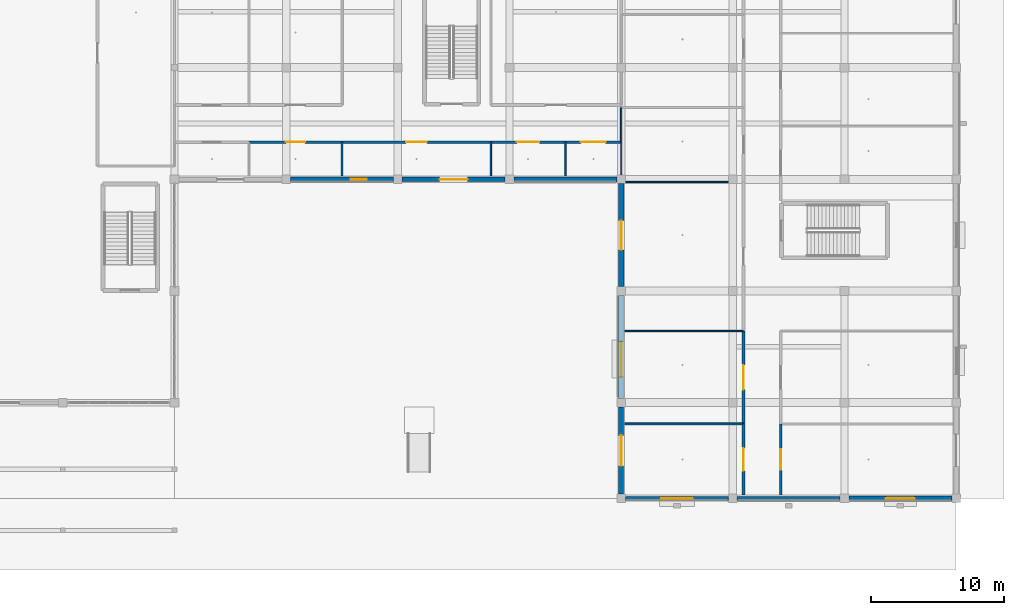
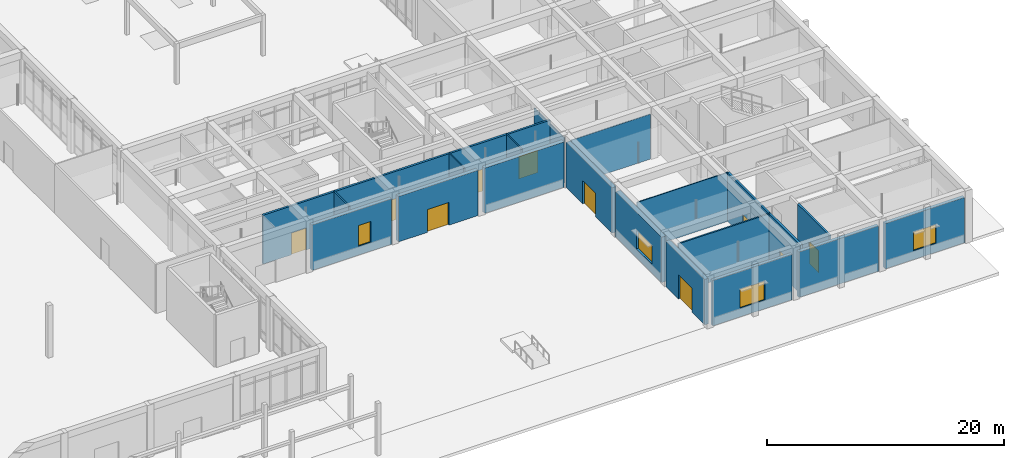
# One storey, part 73 of 167: 24 walls, 10 doors, 4 windows, 14 openings.
"""IFC4 building model written with IfcOpenShell, lengths in metres."""

from ifc_helpers import new_model, si_unit, direction, frame, frame_2d, origin, place, context, subcontext, project, spatial, rectangle, extrude, material, layer, layer_set, type_object, element, fill, save


model = new_model("IFC4")

# Units and contexts
model_context = context("Model", 3, precision=1e-05, world=origin(), true_north=direction((0.0, 1.0)))
body_context = subcontext(model_context, "Body", "Model", "MODEL_VIEW")
ifc_project = project(units=[si_unit("LENGTHUNIT", "METRE"), si_unit("AREAUNIT", "SQUARE_METRE"), si_unit("VOLUMEUNIT", "CUBIC_METRE"), si_unit("PLANEANGLEUNIT", "RADIAN"), si_unit("MASSUNIT", "GRAM", prefix="KILO")], contexts=[model_context])

# Site, building, storey
site_placement = place(None, origin())
site = spatial("IfcSite", under=ifc_project, at=site_placement, CompositionType="ELEMENT")
building_placement = place(site_placement, origin())
building = spatial("IfcBuilding", under=site, at=building_placement, Name="Varncliffe General Hospital", CompositionType="ELEMENT")
storey_placement = place(building_placement, origin())
storey = spatial("IfcBuildingStorey", under=building, at=storey_placement, Name="L00", CompositionType="ELEMENT", Elevation=0.0)

# Wall
ifc_material_1 = material(Name="Precast concrete C40/50 with insulated cream lime-cement stucco", Category="concrete")
ifc_layer_1 = layer(ifc_material_1, 0.31005859375)
ifc_layer_set_1 = layer_set([ifc_layer_1], Name="Precast concrete C40/50 with insulated cream lime-cement stucco")
wall_type_1 = type_object("IfcWallType", Name="Exterior Insulated Stucco Wall EW20 (310mm)", PredefinedType="SOLIDWALL", material=ifc_layer_set_1)
wall_1_placement = place(storey_placement, frame((167.677001953125, 0.0, 0.0), z_axis=(0.0, 0.0, 1.0), x_axis=(-1.0, 0.0, 0.0)))
element("IfcWall", 1, at=wall_1_placement, inside=storey, type_object=wall_type_1, Name="L00 Exterior Stucco Wall EW20-53", PredefinedType="SOLIDWALL", context=body_context, shape_type="SweptSolid", body=[
    extrude(rectangle(XDim=7.75390625, YDim=0.31005859375, at=frame_2d((3.876953125, 0.0))), origin(), (0.0, 0.0, 1.0), 4.679931640625),
])

# Wall, opening, door
ifc_layer_2 = layer(ifc_material_1, 0.3798828125)
ifc_layer_set_2 = layer_set([ifc_layer_2], Name="Precast concrete C40/50 with insulated cream lime-cement stucco")
wall_type_2 = type_object("IfcWallType", Name="Exterior Insulated Stucco Wall EW26 (380mm)", PredefinedType="SOLIDWALL", material=ifc_layer_set_2)
wall_2_placement = place(storey_placement, frame((151.199951171875, 0.322998046875, 0.0), z_axis=(0.0, 0.0, 1.0), x_axis=(0.0, 1.0, 0.0)))
wall_2 = element("IfcWall", 2, at=wall_2_placement, inside=storey, type_object=wall_type_2, Name="L00 Exterior Stucco Wall EW26-55", PredefinedType="SOLIDWALL", context=body_context, shape_type="SweptSolid", body=[
    extrude(rectangle(XDim=6.553955078125, YDim=0.3798828125, at=frame_2d((3.27685546875, 0.0))), origin(), (0.0, 0.0, 1.0), 4.679931640625),
])
opening_1_placement = place(wall_2_placement, frame((2.126953125, 0.0, 0.0)))
opening_1 = element("IfcOpeningElement", 3, at=opening_1_placement, cuts=wall_2, Name="Opening DE14", PredefinedType="OPENING", context=body_context, shape_type="SweptSolid", body=[
    extrude(rectangle(XDim=2.300048828125, YDim=2.5, at=frame_2d((1.14990234375, 1.25))), frame((0.0, 0.199951171875, 0.0), z_axis=(0.0, -1.0, 0.0), x_axis=(1.0, 0.0, 0.0)), (0.0, 0.0, 1.0), 0.39990234375),
])
ifc_material_2 = material(Name="Thermally broken bronze-anodized aluminium and safety glass door", Category="aluminium")
door_type_1 = type_object("IfcDoorType", Name="Exterior Pedestrian Door DE14 (2300x2500)", OperationType="NOTDEFINED", PredefinedType="DOOR", material=ifc_material_2)
door_1_placement = place(opening_1_placement, origin())
door_1 = element("IfcDoor", 4, at=door_1_placement, inside=storey, type_object=door_type_1, Name="Main Pedestrian Entrance and Final Exit Door FE-13", OperationType="DOUBLE_DOOR_SINGLE_SWING", OverallHeight=2.5, OverallWidth=2.300048828125, PredefinedType="DOOR", context=body_context, shape_type="SweptSolid", body=[
    extrude(rectangle(XDim=2.300048828125, YDim=2.5, at=frame_2d((1.14990234375, 1.25))), frame((0.0, 0.02490234375, 0.0), z_axis=(0.0, -1.0, 0.0), x_axis=(1.0, 0.0, 0.0)), (0.0, 0.0, 1.0), 0.050048828125),
])
fill(opening_1, door_1)

# Wall
wall_3_placement = place(storey_placement, frame((150.876953125, 24.0, 0.0), z_axis=(0.0, 0.0, 1.0), x_axis=(-1.0, 0.0, 0.0)))
element("IfcWall", 5, at=wall_3_placement, inside=storey, type_object=wall_type_2, Name="L00 Exterior Stucco Wall EW26-58", PredefinedType="SOLIDWALL", context=body_context, shape_type="SweptSolid", body=[
    extrude(rectangle(XDim=7.75390625, YDim=0.3798828125, at=frame_2d((3.876953125, 0.0))), origin(), (0.0, 0.0, 1.0), 4.679931640625),
])

# Wall, opening, window
ifc_layer_3 = layer(ifc_material_1, 0.2900390625)
ifc_layer_set_3 = layer_set([ifc_layer_3], Name="Precast concrete C40/50 with insulated cream lime-cement stucco")
wall_type_3 = type_object("IfcWallType", Name="Exterior Insulated Stucco Wall EW31 (290mm)", PredefinedType="SOLIDWALL", material=ifc_layer_set_3)
wall_4_placement = place(storey_placement, frame((159.277099609375, 0.0, 0.0), z_axis=(0.0, 0.0, 1.0), x_axis=(-1.0, 0.0, 0.0)))
wall_4 = element("IfcWall", 6, at=wall_4_placement, inside=storey, type_object=wall_type_3, Name="L00 Exterior Stucco Wall EW31-54", PredefinedType="SOLIDWALL", context=body_context, shape_type="SweptSolid", body=[
    extrude(rectangle(XDim=7.754150390625, YDim=0.2900390625, at=frame_2d((3.876953125, 0.0))), origin(), (0.0, 0.0, 1.0), 4.679931640625),
])
opening_2_placement = place(wall_4_placement, frame((2.677001953125, 0.0, 0.89990234375)))
opening_2 = element("IfcOpeningElement", 7, at=opening_2_placement, cuts=wall_4, Name="Opening WN16", PredefinedType="OPENING", context=body_context, shape_type="SweptSolid", body=[
    extrude(rectangle(XDim=2.39990234375, YDim=1.949951171875, at=frame_2d((1.199951171875, 0.97509765625))), frame((0.0, 0.155029296875, 0.0), z_axis=(0.0, -1.0, 0.0), x_axis=(1.0, 0.0, 0.0)), (0.0, 0.0, 1.0), 0.31005859375),
])
ifc_material_3 = material(Name="Triple low-E argon insulated vision glazing", Category="glass")
window_type_1 = type_object("IfcWindowType", Name="Triple-Glazed Hospital Window WN16 (2400x1950)", PartitioningType="DOUBLE_PANEL_VERTICAL", PredefinedType="WINDOW", material=ifc_material_3)
window_1_placement = place(opening_2_placement, origin())
window_1 = element("IfcWindow", 8, at=window_1_placement, inside=storey, type_object=window_type_1, Name="L00 Hospital Window WN16-31", OverallHeight=1.949951171875, OverallWidth=2.39990234375, PartitioningType="DOUBLE_PANEL_VERTICAL", PredefinedType="WINDOW", context=body_context, shape_type="SweptSolid", body=[
    extrude(rectangle(XDim=2.39990234375, YDim=1.949951171875, at=frame_2d((1.199951171875, 0.97509765625))), frame((0.0, 0.030029296875, 0.0), z_axis=(0.0, -1.0, 0.0), x_axis=(1.0, 0.0, 0.0)), (0.0, 0.0, 1.0), 0.06005859375),
])
fill(opening_2, window_1)

ifc_layer_4 = layer(ifc_material_1, 0.330078125)
ifc_layer_set_4 = layer_set([ifc_layer_4], Name="Precast concrete C40/50 with insulated cream lime-cement stucco")
wall_type_4 = type_object("IfcWallType", Name="Exterior Insulated Stucco Wall EW33 (330mm)", PredefinedType="SOLIDWALL", material=ifc_layer_set_4)
wall_5_placement = place(storey_placement, frame((176.076904296875, 0.0, 0.0), z_axis=(0.0, 0.0, 1.0), x_axis=(-1.0, 0.0, 0.0)))
wall_5 = element("IfcWall", 9, at=wall_5_placement, inside=storey, type_object=wall_type_4, Name="L00 Exterior Stucco Wall EW33-52", PredefinedType="SOLIDWALL", context=body_context, shape_type="SweptSolid", body=[
    extrude(rectangle(XDim=7.75390625, YDim=0.330078125, at=frame_2d((3.876953125, 0.0))), origin(), (0.0, 0.0, 1.0), 4.679931640625),
])
opening_3_placement = place(wall_5_placement, frame((2.777099609375, 0.0, 0.89990234375)))
opening_3 = element("IfcOpeningElement", 10, at=opening_3_placement, cuts=wall_5, Name="Opening WN35", PredefinedType="OPENING", context=body_context, shape_type="SweptSolid", body=[
    extrude(rectangle(XDim=2.199951171875, YDim=1.949951171875, at=frame_2d((1.10009765625, 0.97509765625))), frame((0.0, 0.175048828125, 0.0), z_axis=(0.0, -1.0, 0.0), x_axis=(1.0, 0.0, 0.0)), (0.0, 0.0, 1.0), 0.35009765625),
])
window_type_2 = type_object("IfcWindowType", Name="Triple-Glazed Hospital Window WN35 (2200x1950)", PartitioningType="DOUBLE_PANEL_VERTICAL", PredefinedType="WINDOW", material=ifc_material_3)
window_2_placement = place(opening_3_placement, origin())
window_2 = element("IfcWindow", 11, at=window_2_placement, inside=storey, type_object=window_type_2, Name="L00 Hospital Window WN35-30", OverallHeight=1.949951171875, OverallWidth=2.199951171875, PartitioningType="DOUBLE_PANEL_VERTICAL", PredefinedType="WINDOW", context=body_context, shape_type="SweptSolid", body=[
    extrude(rectangle(XDim=2.199951171875, YDim=1.949951171875, at=frame_2d((1.10009765625, 0.97509765625))), frame((0.0, 0.030029296875, 0.0), z_axis=(0.0, -1.0, 0.0), x_axis=(1.0, 0.0, 0.0)), (0.0, 0.0, 1.0), 0.06005859375),
])
fill(opening_3, window_2)

wall_6_placement = place(storey_placement, frame((134.076904296875, 24.0, 0.0), z_axis=(0.0, 0.0, 1.0), x_axis=(-1.0, 0.0, 0.0)))
wall_6 = element("IfcWall", 12, at=wall_6_placement, inside=storey, type_object=wall_type_4, Name="L00 Exterior Stucco Wall EW33-60", PredefinedType="SOLIDWALL", context=body_context, shape_type="SweptSolid", body=[
    extrude(rectangle(XDim=7.75390625, YDim=0.330078125, at=frame_2d((3.876953125, 0.0))), origin(), (0.0, 0.0, 1.0), 4.679931640625),
])
opening_4_placement = place(wall_6_placement, frame((2.033203125, 0.0, 0.89990234375)))
opening_4 = element("IfcOpeningElement", 13, at=opening_4_placement, cuts=wall_6, Name="Opening WN36", PredefinedType="OPENING", context=body_context, shape_type="SweptSolid", body=[
    extrude(rectangle(XDim=1.199951171875, YDim=2.14990234375, at=frame_2d((0.60009765625, 1.074951171875))), frame((0.0, 0.175048828125, 0.0), z_axis=(0.0, -1.0, 0.0), x_axis=(1.0, 0.0, 0.0)), (0.0, 0.0, 1.0), 0.35009765625),
])
window_type_3 = type_object("IfcWindowType", Name="Triple-Glazed Hospital Window WN36 (1200x2150)", PartitioningType="SINGLE_PANEL", PredefinedType="WINDOW", material=ifc_material_3)
window_3_placement = place(opening_4_placement, origin())
window_3 = element("IfcWindow", 14, at=window_3_placement, inside=storey, type_object=window_type_3, Name="L00 Hospital Window WN36-33", OverallHeight=2.14990234375, OverallWidth=1.199951171875, PartitioningType="SINGLE_PANEL", PredefinedType="WINDOW", context=body_context, shape_type="SweptSolid", body=[
    extrude(rectangle(XDim=1.199951171875, YDim=2.14990234375, at=frame_2d((0.60009765625, 1.074951171875))), frame((0.0, 0.030029296875, 0.0), z_axis=(0.0, -1.0, 0.0), x_axis=(1.0, 0.0, 0.0)), (0.0, 0.0, 1.0), 0.06005859375),
])
fill(opening_4, window_3)

ifc_material_4 = material(Name="Concrete C40/50 (CSA A23.1 40 MPa)", Category="concrete")
ifc_layer_5 = layer(ifc_material_4, 0.449951171875)
ifc_layer_set_5 = layer_set([ifc_layer_5], Name="Concrete C40/50 (CSA A23.1 40 MPa)")
wall_type_5 = type_object("IfcWallType", Name="Exterior Insulated Stucco Wall EW36 (450mm)", PredefinedType="SOLIDWALL", material=ifc_layer_set_5)
wall_7_placement = place(storey_placement, frame((151.199951171875, 7.52294921875, 0.0), z_axis=(0.0, 0.0, 1.0), x_axis=(0.0, 1.0, 0.0)))
wall_7 = element("IfcWall", 15, at=wall_7_placement, inside=storey, type_object=wall_type_5, Name="L00 Exterior Stucco Wall EW36-56", PredefinedType="SOLIDWALL", context=body_context, shape_type="SweptSolid", body=[
    extrude(rectangle(XDim=7.754150390625, YDim=0.449951171875, at=frame_2d((3.876953125, 0.0))), origin(), (0.0, 0.0, 1.0), 4.679931640625),
])
opening_5_placement = place(wall_7_placement, frame((1.627197265625, 0.0, 0.89990234375)))
opening_5 = element("IfcOpeningElement", 16, at=opening_5_placement, cuts=wall_7, Name="Opening WN30", PredefinedType="OPENING", context=body_context, shape_type="SweptSolid", body=[
    extrude(rectangle(XDim=2.64990234375, YDim=1.949951171875, at=frame_2d((1.324951171875, 0.97509765625))), frame((0.0, 0.23486328125, 0.0), z_axis=(0.0, -1.0, 0.0), x_axis=(1.0, 0.0, 0.0)), (0.0, 0.0, 1.0), 0.469970703125),
])
window_type_4 = type_object("IfcWindowType", Name="Triple-Glazed Hospital Window WN30 (2650x1950)", PartitioningType="DOUBLE_PANEL_VERTICAL", PredefinedType="WINDOW", material=ifc_material_3)
window_4_placement = place(opening_5_placement, origin())
window_4 = element("IfcWindow", 17, at=window_4_placement, inside=storey, type_object=window_type_4, Name="L00 Hospital Window WN30-32", OverallHeight=1.949951171875, OverallWidth=2.64990234375, PartitioningType="DOUBLE_PANEL_VERTICAL", PredefinedType="WINDOW", context=body_context, shape_type="SweptSolid", body=[
    extrude(rectangle(XDim=2.64990234375, YDim=1.949951171875, at=frame_2d((1.324951171875, 0.97509765625))), frame((0.0, 0.030029296875, 0.0), z_axis=(0.0, -1.0, 0.0), x_axis=(1.0, 0.0, 0.0)), (0.0, 0.0, 1.0), 0.06005859375),
])
fill(opening_5, window_4)

# Wall, opening, door
ifc_layer_6 = layer(ifc_material_1, 0.35009765625)
ifc_layer_set_6 = layer_set([ifc_layer_6], Name="Precast concrete C40/50 with insulated cream lime-cement stucco")
wall_type_6 = type_object("IfcWallType", Name="Exterior Insulated Stucco Wall EW37 (350mm)", PredefinedType="SOLIDWALL", material=ifc_layer_set_6)
wall_8_placement = place(storey_placement, frame((142.47705078125, 24.0, 0.0), z_axis=(0.0, 0.0, 1.0), x_axis=(-1.0, 0.0, 0.0)))
wall_8 = element("IfcWall", 18, at=wall_8_placement, inside=storey, type_object=wall_type_6, Name="L00 Exterior Stucco Wall EW37-59", PredefinedType="SOLIDWALL", context=body_context, shape_type="SweptSolid", body=[
    extrude(rectangle(XDim=7.754150390625, YDim=0.35009765625, at=frame_2d((3.876953125, 0.0))), origin(), (0.0, 0.0, 1.0), 4.679931640625),
])
opening_6_placement = place(wall_8_placement, frame((2.826904296875, 0.0, 0.0)))
opening_6 = element("IfcOpeningElement", 19, at=opening_6_placement, cuts=wall_8, Name="Opening DE44", PredefinedType="OPENING", context=body_context, shape_type="SweptSolid", body=[
    extrude(rectangle(XDim=2.10009765625, YDim=2.35009765625, at=frame_2d((1.050048828125, 1.175048828125))), frame((0.0, 0.18505859375, 0.0), z_axis=(0.0, -1.0, 0.0), x_axis=(1.0, 0.0, 0.0)), (0.0, 0.0, 1.0), 0.3701171875),
])
door_type_2 = type_object("IfcDoorType", Name="Exterior Pedestrian Door DE44 (2100x2350)", OperationType="NOTDEFINED", PredefinedType="DOOR", material=ifc_material_2)
door_2_placement = place(opening_6_placement, origin())
door_2 = element("IfcDoor", 20, at=door_2_placement, inside=storey, type_object=door_type_2, Name="Main Pedestrian Entrance and Final Exit Door FE-15", OperationType="DOUBLE_DOOR_SINGLE_SWING", OverallHeight=2.35009765625, OverallWidth=2.10009765625, PredefinedType="DOOR", context=body_context, shape_type="SweptSolid", body=[
    extrude(rectangle(XDim=2.10009765625, YDim=2.35009765625, at=frame_2d((1.050048828125, 1.175048828125))), frame((0.0, 0.02490234375, 0.0), z_axis=(0.0, -1.0, 0.0), x_axis=(1.0, 0.0, 0.0)), (0.0, 0.0, 1.0), 0.050048828125),
])
fill(opening_6, door_2)

ifc_layer_7 = layer(ifc_material_1, 0.39990234375)
ifc_layer_set_7 = layer_set([ifc_layer_7], Name="Precast concrete C40/50 with insulated cream lime-cement stucco")
wall_type_7 = type_object("IfcWallType", Name="Exterior Insulated Stucco Wall EW47 (400mm)", PredefinedType="SOLIDWALL", material=ifc_layer_set_7)
wall_9_placement = place(storey_placement, frame((151.199951171875, 15.923095703125, 0.0), z_axis=(0.0, 0.0, 1.0), x_axis=(0.0, 1.0, 0.0)))
wall_9 = element("IfcWall", 21, at=wall_9_placement, inside=storey, type_object=wall_type_7, Name="L00 Exterior Stucco Wall EW47-57", PredefinedType="SOLIDWALL", context=body_context, shape_type="SweptSolid", body=[
    extrude(rectangle(XDim=7.75390625, YDim=0.39990234375, at=frame_2d((3.876953125, 0.0))), origin(), (0.0, 0.0, 1.0), 4.679931640625),
])
opening_7_placement = place(wall_9_placement, frame((2.777099609375, 0.0, 0.0)))
opening_7 = element("IfcOpeningElement", 22, at=opening_7_placement, cuts=wall_9, Name="Opening DE27", PredefinedType="OPENING", context=body_context, shape_type="SweptSolid", body=[
    extrude(rectangle(XDim=2.199951171875, YDim=2.39990234375, at=frame_2d((1.10009765625, 1.199951171875))), frame((0.0, 0.2099609375, 0.0), z_axis=(0.0, -1.0, 0.0), x_axis=(1.0, 0.0, 0.0)), (0.0, 0.0, 1.0), 0.419921875),
])
door_type_3 = type_object("IfcDoorType", Name="Exterior Pedestrian Door DE27 (2200x2400)", OperationType="NOTDEFINED", PredefinedType="DOOR", material=ifc_material_2)
door_3_placement = place(opening_7_placement, origin())
door_3 = element("IfcDoor", 23, at=door_3_placement, inside=storey, type_object=door_type_3, Name="Main Pedestrian Entrance and Final Exit Door FE-14", OperationType="DOUBLE_DOOR_SINGLE_SWING", OverallHeight=2.39990234375, OverallWidth=2.199951171875, PredefinedType="DOOR", context=body_context, shape_type="SweptSolid", body=[
    extrude(rectangle(XDim=2.199951171875, YDim=2.39990234375, at=frame_2d((1.10009765625, 1.199951171875))), frame((0.0, 0.02490234375, 0.0), z_axis=(0.0, -1.0, 0.0), x_axis=(1.0, 0.0, 0.0)), (0.0, 0.0, 1.0), 0.050048828125),
])
fill(opening_7, door_3)

# Walls
ifc_material_5 = material(Name="Acoustic clinical gypsum stud partition assembly", Category="gypsum")
ifc_layer_8 = layer(ifc_material_5, 0.1298828125)
ifc_layer_set_8 = layer_set([ifc_layer_8], Name="Acoustic clinical gypsum stud partition assembly")
wall_type_8 = type_object("IfcWallType", Name="Interior Partitioning IW11 (130mm)", PredefinedType="PARTITIONING", material=ifc_layer_set_8)
wall_10_placement = place(storey_placement, frame((130.199951171875, 24.260009765625, 0.0), z_axis=(0.0, 0.0, 1.0), x_axis=(0.0, 1.0, 0.0)))
element("IfcWall", 24, at=wall_10_placement, inside=storey, type_object=wall_type_8, Name="L00 Interior Partition Wall IW11-368", PredefinedType="PARTITIONING", context=body_context, shape_type="SweptSolid", body=[
    extrude(rectangle(XDim=2.5400390625, YDim=0.1298828125, at=frame_2d((1.27001953125, 0.0))), origin(), (0.0, 0.0, 1.0), 5.0400390625),
])
ifc_layer_9 = layer(ifc_material_5, 0.14990234375)
ifc_layer_set_9 = layer_set([ifc_layer_9], Name="Acoustic clinical gypsum stud partition assembly")
wall_type_9 = type_object("IfcWallType", Name="Interior Partitioning IW35 (150mm)", PredefinedType="PARTITIONING", material=ifc_layer_set_9)
wall_11_placement = place(storey_placement, frame((151.4599609375, 5.60009765625, 0.0), z_axis=(0.0, 0.0, 1.0), x_axis=(1.0, 0.0, 0.0)))
element("IfcWall", 25, at=wall_11_placement, inside=storey, type_object=wall_type_9, Name="L00 Interior Partition Wall IW35-69", PredefinedType="PARTITIONING", context=body_context, shape_type="SweptSolid", body=[
    extrude(rectangle(XDim=8.93994140625, YDim=0.14990234375, at=frame_2d((4.469970703125, 0.0))), origin(), (0.0, 0.0, 1.0), 5.0400390625),
])
ifc_layer_10 = layer(ifc_material_5, 0.090087890625)
ifc_layer_set_10 = layer_set([ifc_layer_10], Name="Acoustic clinical gypsum stud partition assembly")
wall_type_10 = type_object("IfcWallType", Name="Interior Partitioning IW42 (90mm)", PredefinedType="PARTITIONING", material=ifc_layer_set_10)
wall_12_placement = place(storey_placement, frame((151.4599609375, 12.60009765625, 0.0), z_axis=(0.0, 0.0, 1.0), x_axis=(1.0, 0.0, 0.0)))
element("IfcWall", 26, at=wall_12_placement, inside=storey, type_object=wall_type_10, Name="L00 Interior Partition Wall IW42-71", PredefinedType="PARTITIONING", context=body_context, shape_type="SweptSolid", body=[
    extrude(rectangle(XDim=8.93994140625, YDim=0.090087890625, at=frame_2d((4.469970703125, 0.0))), origin(), (0.0, 0.0, 1.0), 5.0400390625),
])
wall_13_placement = place(storey_placement, frame((151.5400390625, 23.800048828125, 0.0), z_axis=(0.0, 0.0, 1.0), x_axis=(1.0, 0.0, 0.0)))
element("IfcWall", 27, at=wall_13_placement, inside=storey, type_object=wall_type_10, Name="L00 Interior Partition Wall IW42-76", PredefinedType="PARTITIONING", context=body_context, shape_type="SweptSolid", body=[
    extrude(rectangle(XDim=7.719970703125, YDim=0.090087890625, at=frame_2d((3.85986328125, 0.0))), origin(), (0.0, 0.0, 1.0), 4.635009765625),
])
wall_14_placement = place(storey_placement, frame((151.199951171875, 24.340087890625, 0.0), z_axis=(0.0, 0.0, 1.0), x_axis=(0.0, 1.0, 0.0)))
element("IfcWall", 28, at=wall_14_placement, inside=storey, type_object=wall_type_10, Name="L00 Interior Partition Wall IW42-386", PredefinedType="PARTITIONING", context=body_context, shape_type="SweptSolid", body=[
    extrude(rectangle(XDim=2.4599609375, YDim=0.090087890625, at=frame_2d((1.22998046875, 0.0))), origin(), (0.0, 0.0, 1.0), 4.68505859375),
])
ifc_layer_11 = layer(ifc_material_5, 0.110107421875)
ifc_layer_set_11 = layer_set([ifc_layer_11], Name="Acoustic clinical gypsum stud partition assembly")
wall_type_11 = type_object("IfcWallType", Name="Interior Partitioning IW65 (110mm)", PredefinedType="PARTITIONING", material=ifc_layer_set_11)
for number, where, z_axis, x_axis, name in (
    (29, (141.39990234375, 24.260009765625, 0.0), (0.0, 0.0, 1.0), (0.0, 1.0, 0.0), "L00 Interior Partition Wall IW65-377"),
    (30, (147.0, 24.260009765625, 0.0), (0.0, 0.0, 1.0), (0.0, 1.0, 0.0), "L00 Interior Partition Wall IW65-382"),
):
    element("IfcWall", number, at=place(storey_placement, frame(where, z_axis=z_axis, x_axis=x_axis)), inside=storey, type_object=wall_type_11, Name=name, PredefinedType="PARTITIONING", context=body_context, shape_type="SweptSolid", body=[
        extrude(rectangle(XDim=2.5400390625, YDim=0.110107421875, at=frame_2d((1.27001953125, 0.0))), origin(), (0.0, 0.0, 1.0), 5.0400390625),
    ])
wall_15_placement = place(storey_placement, frame((151.199951171875, 26.800048828125, 0.0), z_axis=(0.0, 0.0, 1.0), x_axis=(0.0, 1.0, 0.0)))
element("IfcWall", 31, at=wall_15_placement, inside=storey, type_object=wall_type_11, Name="L00 Interior Partition Wall IW65-387", PredefinedType="PARTITIONING", context=body_context, shape_type="SweptSolid", body=[
    extrude(rectangle(XDim=2.599853515625, YDim=0.110107421875, at=frame_2d((1.2998046875, 0.0))), origin(), (0.0, 0.0, 1.0), 4.68505859375),
])

# Wall, opening, door
ifc_material_6 = material(Name="Fire-rated gypsum and mineral-wool partition assembly", Category="gypsum")
ifc_layer_12 = layer(ifc_material_6, 0.199951171875)
ifc_layer_set_12 = layer_set([ifc_layer_12], Name="Fire-rated gypsum and mineral-wool partition assembly")
wall_type_12 = type_object("IfcWallType", Name="Interior Partitioning PW63 (200mm)", PredefinedType="PARTITIONING", material=ifc_layer_set_12)
wall_16_placement = place(storey_placement, frame((123.199951171875, 26.800048828125, 0.0), z_axis=(0.0, 0.0, 1.0), x_axis=(1.0, 0.0, 0.0)))
wall_16 = element("IfcWall", 32, at=wall_16_placement, inside=storey, type_object=wall_type_12, Name="L00 Interior Partition Wall PW63-83", PredefinedType="PARTITIONING", context=body_context, shape_type="SweptSolid", body=[
    extrude(rectangle(XDim=7.0, YDim=0.199951171875, at=frame_2d((3.5, 0.0))), origin(), (0.0, 0.0, 1.0), 5.0400390625),
])
opening_8_placement = place(wall_16_placement, frame((2.77490234375, 0.0, 0.0)))
opening_8 = element("IfcOpeningElement", 33, at=opening_8_placement, cuts=wall_16, Name="Opening DC66", PredefinedType="OPENING", context=body_context, shape_type="SweptSolid", body=[
    extrude(rectangle(XDim=1.449951171875, YDim=2.25, at=frame_2d((0.72509765625, 1.125))), frame((0.0, 0.10986328125, 0.0), z_axis=(0.0, -1.0, 0.0), x_axis=(1.0, 0.0, 0.0)), (0.0, 0.0, 1.0), 0.219970703125),
])
ifc_material_7 = material(Name="Fire-rated hospital steel-frame vision-panel door", Category="steel")
door_type_4 = type_object("IfcDoorType", Name="Interior Hospital Door DC66 (1450x2250)", OperationType="NOTDEFINED", PredefinedType="DOOR", material=ifc_material_7)
door_4_placement = place(opening_8_placement, frame((1.449951171875, 0.0, 0.0), z_axis=(0.0, 0.0, 1.0), x_axis=(-1.0, 0.0, 0.0)))
door_4 = element("IfcDoor", 34, at=door_4_placement, inside=storey, type_object=door_type_4, Name="L00 Orthopaedic Fracture Cast Clinic 110 Door", OperationType="SINGLE_SWING_LEFT", OverallHeight=2.25, OverallWidth=1.449951171875, PredefinedType="DOOR", context=body_context, shape_type="SweptSolid", body=[
    extrude(rectangle(XDim=1.449951171875, YDim=2.25, at=frame_2d((0.72509765625, 1.125))), frame((0.0, 0.02490234375, 0.0), z_axis=(0.0, -1.0, 0.0), x_axis=(1.0, 0.0, 0.0)), (0.0, 0.0, 1.0), 0.050048828125),
])
fill(opening_8, door_4)

wall_17_placement = place(storey_placement, frame((130.199951171875, 26.800048828125, 0.0), z_axis=(0.0, 0.0, 1.0), x_axis=(1.0, 0.0, 0.0)))
wall_17 = element("IfcWall", 35, at=wall_17_placement, inside=storey, type_object=wall_type_12, Name="L00 Interior Partition Wall PW63-84", PredefinedType="PARTITIONING", context=body_context, shape_type="SweptSolid", body=[
    extrude(rectangle(XDim=11.199951171875, YDim=0.199951171875, at=frame_2d((5.60009765625, 0.0))), origin(), (0.0, 0.0, 1.0), 5.0400390625),
])
opening_9_placement = place(wall_17_placement, frame((4.824951171875, 0.0, 0.0)))
opening_9 = element("IfcOpeningElement", 36, at=opening_9_placement, cuts=wall_17, Name="Opening DC67", PredefinedType="OPENING", context=body_context, shape_type="SweptSolid", body=[
    extrude(rectangle(XDim=1.550048828125, YDim=2.25, at=frame_2d((0.77490234375, 1.125))), frame((0.0, 0.10986328125, 0.0), z_axis=(0.0, -1.0, 0.0), x_axis=(1.0, 0.0, 0.0)), (0.0, 0.0, 1.0), 0.219970703125),
])
door_type_5 = type_object("IfcDoorType", Name="Interior Hospital Door DC67 (1550x2250)", OperationType="NOTDEFINED", PredefinedType="DOOR", material=ifc_material_7)
door_5_placement = place(opening_9_placement, frame((1.550048828125, 0.0, 0.0), z_axis=(0.0, 0.0, 1.0), x_axis=(-1.0, 0.0, 0.0)))
door_5 = element("IfcDoor", 37, at=door_5_placement, inside=storey, type_object=door_type_5, Name="L00 Physical Rehabilitation Therapy Gym 111 Door", OperationType="SINGLE_SWING_RIGHT", OverallHeight=2.25, OverallWidth=1.550048828125, PredefinedType="DOOR", context=body_context, shape_type="SweptSolid", body=[
    extrude(rectangle(XDim=1.550048828125, YDim=2.25, at=frame_2d((0.77490234375, 1.125))), frame((0.0, 0.02490234375, 0.0), z_axis=(0.0, -1.0, 0.0), x_axis=(1.0, 0.0, 0.0)), (0.0, 0.0, 1.0), 0.050048828125),
])
fill(opening_9, door_5)

wall_18_placement = place(storey_placement, frame((141.39990234375, 26.800048828125, 0.0), z_axis=(0.0, 0.0, 1.0), x_axis=(1.0, 0.0, 0.0)))
wall_18 = element("IfcWall", 38, at=wall_18_placement, inside=storey, type_object=wall_type_12, Name="L00 Interior Partition Wall PW63-85", PredefinedType="PARTITIONING", context=body_context, shape_type="SweptSolid", body=[
    extrude(rectangle(XDim=5.60009765625, YDim=0.199951171875, at=frame_2d((2.800048828125, 0.0))), origin(), (0.0, 0.0, 1.0), 5.0400390625),
])
opening_10_placement = place(wall_18_placement, frame((1.949951171875, 0.0, 0.0)))
opening_10 = element("IfcOpeningElement", 39, at=opening_10_placement, cuts=wall_18, Name="Opening DC50", PredefinedType="OPENING", context=body_context, shape_type="SweptSolid", body=[
    extrude(rectangle(XDim=1.699951171875, YDim=2.300048828125, at=frame_2d((0.85009765625, 1.14990234375))), frame((0.0, 0.10986328125, 0.0), z_axis=(0.0, -1.0, 0.0), x_axis=(1.0, 0.0, 0.0)), (0.0, 0.0, 1.0), 0.219970703125),
])
door_type_6 = type_object("IfcDoorType", Name="Interior Hospital Door DC50 (1700x2300)", OperationType="NOTDEFINED", PredefinedType="DOOR", material=ifc_material_7)
door_6_placement = place(opening_10_placement, frame((1.699951171875, 0.0, 0.0), z_axis=(0.0, 0.0, 1.0), x_axis=(-1.0, 0.0, 0.0)))
door_6 = element("IfcDoor", 40, at=door_6_placement, inside=storey, type_object=door_type_6, Name="L00 Outpatient Consultation and Exam Clinic 112 Door", OperationType="SINGLE_SWING_LEFT", OverallHeight=2.300048828125, OverallWidth=1.699951171875, PredefinedType="DOOR", context=body_context, shape_type="SweptSolid", body=[
    extrude(rectangle(XDim=1.699951171875, YDim=2.300048828125, at=frame_2d((0.85009765625, 1.14990234375))), frame((0.0, 0.02490234375, 0.0), z_axis=(0.0, -1.0, 0.0), x_axis=(1.0, 0.0, 0.0)), (0.0, 0.0, 1.0), 0.050048828125),
])
fill(opening_10, door_6)

wall_19_placement = place(storey_placement, frame((147.0, 26.800048828125, 0.0), z_axis=(0.0, 0.0, 1.0), x_axis=(1.0, 0.0, 0.0)))
wall_19 = element("IfcWall", 41, at=wall_19_placement, inside=storey, type_object=wall_type_12, Name="L00 Interior Partition Wall PW63-86", PredefinedType="PARTITIONING", context=body_context, shape_type="SweptSolid", body=[
    extrude(rectangle(XDim=4.199951171875, YDim=0.199951171875, at=frame_2d((2.10009765625, 0.0))), origin(), (0.0, 0.0, 1.0), 5.0400390625),
])
opening_11_placement = place(wall_19_placement, frame((1.175048828125, 0.0, 0.0)))
opening_11 = element("IfcOpeningElement", 42, at=opening_11_placement, cuts=wall_19, Name="Opening DC38", PredefinedType="OPENING", context=body_context, shape_type="SweptSolid", body=[
    extrude(rectangle(XDim=1.85009765625, YDim=2.300048828125, at=frame_2d((0.925048828125, 1.14990234375))), frame((0.0, 0.10986328125, 0.0), z_axis=(0.0, -1.0, 0.0), x_axis=(1.0, 0.0, 0.0)), (0.0, 0.0, 1.0), 0.219970703125),
])
door_type_7 = type_object("IfcDoorType", Name="Interior Hospital Door DC38 (1850x2300)", OperationType="NOTDEFINED", PredefinedType="DOOR", material=ifc_material_7)
door_7_placement = place(opening_11_placement, frame((1.85009765625, 0.0, 0.0), z_axis=(0.0, 0.0, 1.0), x_axis=(-1.0, 0.0, 0.0)))
door_7 = element("IfcDoor", 43, at=door_7_placement, inside=storey, type_object=door_type_7, Name="L00 Orthopaedic Fracture Cast Clinic 113 Door", OperationType="SINGLE_SWING_RIGHT", OverallHeight=2.300048828125, OverallWidth=1.85009765625, PredefinedType="DOOR", context=body_context, shape_type="SweptSolid", body=[
    extrude(rectangle(XDim=1.85009765625, YDim=2.300048828125, at=frame_2d((0.925048828125, 1.14990234375))), frame((0.0, 0.02490234375, 0.0), z_axis=(0.0, -1.0, 0.0), x_axis=(1.0, 0.0, 0.0)), (0.0, 0.0, 1.0), 0.050048828125),
])
fill(opening_11, door_7)

wall_20_placement = place(storey_placement, frame((160.39990234375, 0.260009765625, 0.0), z_axis=(0.0, 0.0, 1.0), x_axis=(0.0, 1.0, 0.0)))
wall_20 = element("IfcWall", 44, at=wall_20_placement, inside=storey, type_object=wall_type_12, Name="L00 Interior Partition Wall PW63-399", PredefinedType="PARTITIONING", context=body_context, shape_type="SweptSolid", body=[
    extrude(rectangle(XDim=5.340087890625, YDim=0.199951171875, at=frame_2d((2.669921875, 0.0))), origin(), (0.0, 0.0, 1.0), 5.0400390625),
])
opening_12_placement = place(wall_20_placement, frame((1.820068359375, 0.0, 0.0)))
opening_12 = element("IfcOpeningElement", 45, at=opening_12_placement, cuts=wall_20, Name="Opening DC50", PredefinedType="OPENING", context=body_context, shape_type="SweptSolid", body=[
    extrude(rectangle(XDim=1.699951171875, YDim=2.300048828125, at=frame_2d((0.85009765625, 1.14990234375))), frame((0.0, 0.10986328125, 0.0), z_axis=(0.0, -1.0, 0.0), x_axis=(1.0, 0.0, 0.0)), (0.0, 0.0, 1.0), 0.219970703125),
])
door_8_placement = place(opening_12_placement, origin())
door_8 = element("IfcDoor", 46, at=door_8_placement, inside=storey, type_object=door_type_6, Name="L00 Outpatient Consultation and Exam Clinic 88 Door", OperationType="SINGLE_SWING_RIGHT", OverallHeight=2.300048828125, OverallWidth=1.699951171875, PredefinedType="DOOR", context=body_context, shape_type="SweptSolid", body=[
    extrude(rectangle(XDim=1.699951171875, YDim=2.300048828125, at=frame_2d((0.85009765625, 1.14990234375))), frame((0.0, 0.02490234375, 0.0), z_axis=(0.0, -1.0, 0.0), x_axis=(1.0, 0.0, 0.0)), (0.0, 0.0, 1.0), 0.050048828125),
])
fill(opening_12, door_8)

wall_21_placement = place(storey_placement, frame((160.39990234375, 5.60009765625, 0.0), z_axis=(0.0, 0.0, 1.0), x_axis=(0.0, 1.0, 0.0)))
wall_21 = element("IfcWall", 47, at=wall_21_placement, inside=storey, type_object=wall_type_12, Name="L00 Interior Partition Wall PW63-400", PredefinedType="PARTITIONING", context=body_context, shape_type="SweptSolid", body=[
    extrude(rectangle(XDim=7.0, YDim=0.199951171875, at=frame_2d((3.5, 0.0))), origin(), (0.0, 0.0, 1.0), 5.0400390625),
])
opening_13_placement = place(wall_21_placement, frame((2.574951171875, 0.0, 0.0)))
opening_13 = element("IfcOpeningElement", 48, at=opening_13_placement, cuts=wall_21, Name="Opening DC38", PredefinedType="OPENING", context=body_context, shape_type="SweptSolid", body=[
    extrude(rectangle(XDim=1.85009765625, YDim=2.300048828125, at=frame_2d((0.925048828125, 1.14990234375))), frame((0.0, 0.10986328125, 0.0), z_axis=(0.0, -1.0, 0.0), x_axis=(1.0, 0.0, 0.0)), (0.0, 0.0, 1.0), 0.219970703125),
])
door_9_placement = place(opening_13_placement, origin())
door_9 = element("IfcDoor", 49, at=door_9_placement, inside=storey, type_object=door_type_7, Name="L00 Orthopaedic Fracture Cast Clinic 89 Door", OperationType="SINGLE_SWING_LEFT", OverallHeight=2.300048828125, OverallWidth=1.85009765625, PredefinedType="DOOR", context=body_context, shape_type="SweptSolid", body=[
    extrude(rectangle(XDim=1.85009765625, YDim=2.300048828125, at=frame_2d((0.925048828125, 1.14990234375))), frame((0.0, 0.02490234375, 0.0), z_axis=(0.0, -1.0, 0.0), x_axis=(1.0, 0.0, 0.0)), (0.0, 0.0, 1.0), 0.050048828125),
])
fill(opening_13, door_9)

wall_22_placement = place(storey_placement, frame((163.199951171875, 0.260009765625, 0.0), z_axis=(0.0, 0.0, 1.0), x_axis=(0.0, 1.0, 0.0)))
wall_22 = element("IfcWall", 50, at=wall_22_placement, inside=storey, type_object=wall_type_12, Name="L00 Interior Partition Wall PW63-412", PredefinedType="PARTITIONING", context=body_context, shape_type="SweptSolid", body=[
    extrude(rectangle(XDim=5.340087890625, YDim=0.199951171875, at=frame_2d((2.669921875, 0.0))), origin(), (0.0, 0.0, 1.0), 5.0400390625),
])
opening_14_placement = place(wall_22_placement, frame((1.89501953125, 0.0, 0.0)))
opening_14 = element("IfcOpeningElement", 51, at=opening_14_placement, cuts=wall_22, Name="Opening DC67", PredefinedType="OPENING", context=body_context, shape_type="SweptSolid", body=[
    extrude(rectangle(XDim=1.550048828125, YDim=2.25, at=frame_2d((0.77490234375, 1.125))), frame((0.0, 0.10986328125, 0.0), z_axis=(0.0, -1.0, 0.0), x_axis=(1.0, 0.0, 0.0)), (0.0, 0.0, 1.0), 0.219970703125),
])
door_10_placement = place(opening_14_placement, frame((1.550048828125, 0.0, 0.0), z_axis=(0.0, 0.0, 1.0), x_axis=(-1.0, 0.0, 0.0)))
door_10 = element("IfcDoor", 52, at=door_10_placement, inside=storey, type_object=door_type_5, Name="L00 Outpatient Consultation and Exam Clinic 99 Door", OperationType="SINGLE_SWING_LEFT", OverallHeight=2.25, OverallWidth=1.550048828125, PredefinedType="DOOR", context=body_context, shape_type="SweptSolid", body=[
    extrude(rectangle(XDim=1.550048828125, YDim=2.25, at=frame_2d((0.77490234375, 1.125))), frame((0.0, 0.02490234375, 0.0), z_axis=(0.0, -1.0, 0.0), x_axis=(1.0, 0.0, 0.0)), (0.0, 0.0, 1.0), 0.050048828125),
])
fill(opening_14, door_10)

save(model, "model.ifc")
